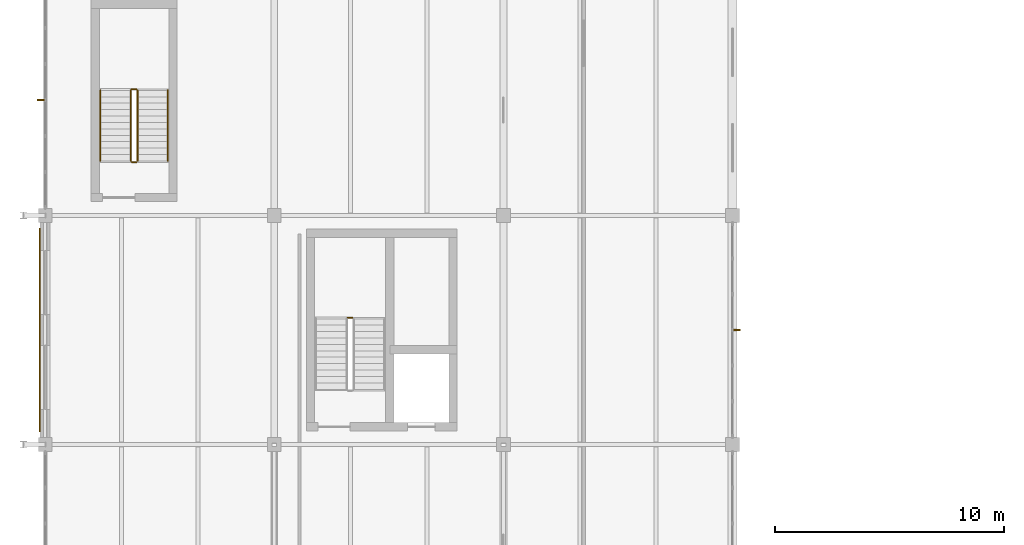
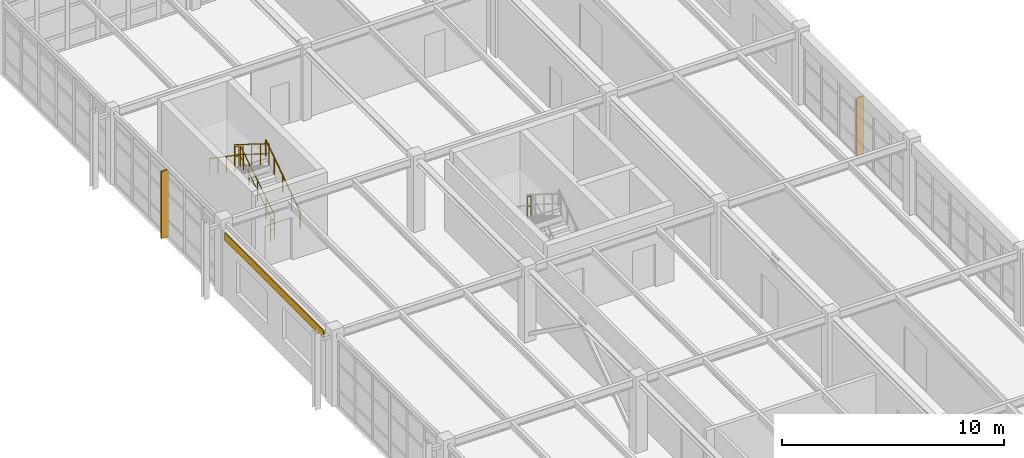
# One storey, part 114 of 122: 7 railings, 2 shading devices, 1 covering.
"""IFC4 building model written with IfcOpenShell, lengths in metres."""

from ifc_helpers import new_model, si_unit, direction, frame, origin, origin_2d, place, context, subcontext, project, spatial, polyline, rectangle, circle, outline, extrude, material, layer, layer_set, type_object, element, save


model = new_model("IFC4")

# Units and contexts
model_context = context("Model", 3, precision=1e-05, world=origin(), true_north=direction((0.0, 1.0)))
body_context = subcontext(model_context, "Body", "Model", "MODEL_VIEW")
ifc_project = project(units=[si_unit("LENGTHUNIT", "METRE"), si_unit("AREAUNIT", "SQUARE_METRE"), si_unit("VOLUMEUNIT", "CUBIC_METRE"), si_unit("PLANEANGLEUNIT", "RADIAN"), si_unit("MASSUNIT", "GRAM", prefix="KILO"), si_unit("THERMODYNAMICTEMPERATUREUNIT", "KELVIN"), si_unit("POWERUNIT", "WATT")], contexts=[model_context])

# Site, building, storey
site_placement = place(None, origin())
site = spatial("IfcSite", under=ifc_project, at=site_placement, CompositionType="ELEMENT")
building_placement = place(site_placement, origin())
building = spatial("IfcBuilding", under=site, at=building_placement, Name="Korenveer Ferry Terminal", CompositionType="ELEMENT")
storey_placement = place(building_placement, frame((0.0, 0.0, 10.199951171875)))
storey = spatial("IfcBuildingStorey", under=building, at=storey_placement, Name="L02", CompositionType="ELEMENT", Elevation=10.199951171875)

# Covering
ifc_material_1 = material(Name="Carved Belgian bluestone spandrel cladding", Category="masonry")
ifc_layer = layer(ifc_material_1, 0.050048828125)
ifc_layer_set = layer_set([ifc_layer], Name="Carved Belgian bluestone spandrel cladding")
covering_type = type_object("IfcCoveringType", Name="ENV-COV-STONE", PredefinedType="CLADDING", material=ifc_layer_set)
covering_placement = place(storey_placement, frame((0.0, 0.0, 3.25)))
element("IfcCovering", 1, at=covering_placement, inside=storey, type_object=covering_type, Name="Belgian bluestone spandrel band 21", PredefinedType="CLADDING", context=body_context, shape_type="SweptSolid", body=[
    extrude(outline(polyline([(-0.264892578125, 50.550048828125), (-0.215087890625, 50.550048828125), (-0.215087890625, 59.449951171875), (-0.264892578125, 59.449951171875), (-0.264892578125, 50.550048828125)])), origin(), (0.0, 0.0, 1.0), 0.420166015625),
])

# Shading devices
ifc_material_2 = material(Name="Anodised bronze aluminium solar fin", Category="aluminium")
shading_device_type = type_object("IfcShadingDeviceType", Name="ENV-SHD-FIN", PredefinedType="JALOUSIE", material=ifc_material_2)
shading_device_1_placement = place(storey_placement, frame((-0.159912109375, 65.03759765625, -0.02001953125), z_axis=(0.0, 0.0, 1.0), x_axis=(1.0, 0.0, 0.0)))
element("IfcShadingDevice", 2, at=shading_device_1_placement, inside=storey, type_object=shading_device_type, Name="Gothic solar fin 50", PredefinedType="JALOUSIE", context=body_context, shape_type="SweptSolid", body=[
    extrude(rectangle(XDim=0.360107421875, YDim=0.080078125, at=origin_2d()), origin(), (0.0, 0.0, 1.0), 3.68994140625),
])
shading_device_2_placement = place(storey_placement, frame((30.159912109375, 55.0, -0.02001953125), z_axis=(0.0, 0.0, 1.0), x_axis=(1.0, 0.0, 0.0)))
element("IfcShadingDevice", 3, at=shading_device_2_placement, inside=storey, type_object=shading_device_type, Name="Gothic solar fin 51", PredefinedType="JALOUSIE", context=body_context, shape_type="SweptSolid", body=[
    extrude(rectangle(XDim=0.360107421875, YDim=0.080078125, at=origin_2d()), origin(), (0.0, 0.0, 1.0), 3.18994140625),
])

# Railings
ifc_material_3 = material(Name="Brushed stainless steel handrail", Category="steel")
railing_type_1 = type_object("IfcRailingType", Name="INT-RL-HND90", PredefinedType="HANDRAIL", material=ifc_material_3)
railing_1_placement = place(storey_placement, frame((5.35009765625, 62.3798828125, 0.175048828125)))
element("IfcRailing", 4, at=railing_1_placement, inside=storey, type_object=railing_type_1, Name="L02 ST11 stair handrail 1", PredefinedType="HANDRAIL", context=body_context, shape_type="SweptSolid", body=[
    extrude(circle(Radius=0.02392578125, at=origin_2d()), frame((0.0, 0.0, 0.8759765625), z_axis=(0.0, 0.826221800596, 0.563344953133), x_axis=(-1.0, 0.0, 0.0)), (0.0, 0.0, 1.0), 3.72802734375),
    extrude(circle(Radius=0.02099609375, at=origin_2d()), origin(), (0.0, 0.0, 1.0), 0.851806640625),
    extrude(circle(Radius=0.02099609375, at=origin_2d()), frame((0.0, 0.77001953125, 0.52490234375)), (0.0, 0.0, 1.0), 0.851806640625),
    extrude(circle(Radius=0.02099609375, at=origin_2d()), frame((0.0, 1.5400390625, 1.050048828125)), (0.0, 0.0, 1.0), 0.851806640625),
    extrude(circle(Radius=0.02099609375, at=origin_2d()), frame((0.0, 2.31005859375, 1.5751953125)), (0.0, 0.0, 1.0), 0.851806640625),
    extrude(circle(Radius=0.02099609375, at=origin_2d()), frame((0.0, 3.080078125, 2.10009765625)), (0.0, 0.0, 1.0), 0.851806640625),
])
railing_2_placement = place(storey_placement, frame((2.409912109375, 65.4599609375, 2.275146484375)))
element("IfcRailing", 5, at=railing_2_placement, inside=storey, type_object=railing_type_1, Name="L02 ST11 stair handrail 2", PredefinedType="HANDRAIL", context=body_context, shape_type="SweptSolid", body=[
    extrude(circle(Radius=0.02392578125, at=origin_2d()), frame((0.0, 0.0, 0.8759765625), z_axis=(0.0, -0.826252282691, 0.563300244406), x_axis=(1.0, 0.0, 0.0)), (0.0, 0.0, 1.0), 3.727783203125),
    extrude(circle(Radius=0.02099609375, at=origin_2d()), origin(), (0.0, 0.0, 1.0), 0.851806640625),
    extrude(circle(Radius=0.02099609375, at=origin_2d()), frame((0.0, -0.77001953125, 0.52490234375)), (0.0, 0.0, 1.0), 0.851806640625),
    extrude(circle(Radius=0.02099609375, at=origin_2d()), frame((0.0, -1.5400390625, 1.0498046875)), (0.0, 0.0, 1.0), 0.851806640625),
    extrude(circle(Radius=0.02099609375, at=origin_2d()), frame((0.0, -2.31005859375, 1.574951171875)), (0.0, 0.0, 1.0), 0.851806640625),
    extrude(circle(Radius=0.02099609375, at=origin_2d()), frame((0.0, -3.080078125, 2.099853515625)), (0.0, 0.0, 1.0), 0.851806640625),
])
ifc_material_4 = material(Name="Painted steel stair guard", Category="steel")
railing_type_2 = type_object("IfcRailingType", Name="INT-RL-STGRD", PredefinedType="GUARDRAIL", material=ifc_material_4)
railing_3_placement = place(storey_placement, frame((13.409912109375, 55.5400390625, 2.10009765625)))
element("IfcRailing", 6, at=railing_3_placement, inside=storey, type_object=railing_type_2, Name="L02 ST02 stair guard 2", PredefinedType="GUARDRAIL", context=body_context, shape_type="SweptSolid", body=[
    extrude(circle(Radius=0.02392578125, at=origin_2d()), frame((0.0, 0.0, 1.17578125), z_axis=(-1.0, 0.0, 0.0), x_axis=(0.0, -1.0, 0.0)), (0.0, 0.0, 1.0), 0.199951171875),
    extrude(circle(Radius=0.01806640625, at=origin_2d()), frame((0.0, 0.0, 0.6240234375), z_axis=(-1.0, 0.0, 0.0), x_axis=(0.0, -1.0, 0.0)), (0.0, 0.0, 1.0), 0.199951171875),
    extrude(circle(Radius=0.02099609375, at=origin_2d()), origin(), (0.0, 0.0, 1.0), 1.15185546875),
    extrude(circle(Radius=0.02099609375, at=origin_2d()), frame((-0.199951171875, 0.0, 0.0)), (0.0, 0.0, 1.0), 1.15185546875),
])
railing_4_placement = place(storey_placement, frame((4.030029296875, 62.3798828125, 0.175048828125)))
element("IfcRailing", 7, at=railing_4_placement, inside=storey, type_object=railing_type_2, Name="L02 ST11 stair guard 1", PredefinedType="GUARDRAIL", context=body_context, shape_type="SweptSolid", body=[
    extrude(circle(Radius=0.02392578125, at=origin_2d()), frame((0.0, 0.0, 1.17578125), z_axis=(0.0, 0.847998304005, 0.529998940003), x_axis=(-1.0, 0.0, 0.0)), (0.0, 0.0, 1.0), 3.632080078125),
    extrude(circle(Radius=0.01806640625, at=origin_2d()), frame((0.0, 0.0, 0.6240234375), z_axis=(0.0, 0.847998304005, 0.529998940003), x_axis=(-1.0, 0.0, 0.0)), (0.0, 0.0, 1.0), 3.632080078125),
    extrude(circle(Radius=0.02099609375, at=origin_2d()), origin(), (0.0, 0.0, 1.0), 1.15185546875),
    extrude(circle(Radius=0.02099609375, at=origin_2d()), frame((0.0, 0.77001953125, 0.481201171875)), (0.0, 0.0, 1.0), 1.15185546875),
    extrude(circle(Radius=0.02099609375, at=origin_2d()), frame((0.0, 1.5400390625, 0.96240234375)), (0.0, 0.0, 1.0), 1.15185546875),
    extrude(circle(Radius=0.02099609375, at=origin_2d()), frame((0.0, 2.31005859375, 1.44384765625)), (0.0, 0.0, 1.0), 1.15185546875),
    extrude(circle(Radius=0.02099609375, at=origin_2d()), frame((0.0, 3.080078125, 1.925048828125)), (0.0, 0.0, 1.0), 1.15185546875),
])
railing_5_placement = place(storey_placement, frame((3.97998046875, 65.510009765625, 2.10009765625)))
element("IfcRailing", 8, at=railing_5_placement, inside=storey, type_object=railing_type_2, Name="L02 ST11 stair guard 2", PredefinedType="GUARDRAIL", context=body_context, shape_type="SweptSolid", body=[
    extrude(circle(Radius=0.02392578125, at=origin_2d()), frame((0.0, 0.0, 1.17578125), z_axis=(-1.0, 0.0, 0.0), x_axis=(0.0, -1.0, 0.0)), (0.0, 0.0, 1.0), 0.199951171875),
    extrude(circle(Radius=0.01806640625, at=origin_2d()), frame((0.0, 0.0, 0.6240234375), z_axis=(-1.0, 0.0, 0.0), x_axis=(0.0, -1.0, 0.0)), (0.0, 0.0, 1.0), 0.199951171875),
    extrude(circle(Radius=0.02099609375, at=origin_2d()), origin(), (0.0, 0.0, 1.0), 1.15185546875),
    extrude(circle(Radius=0.02099609375, at=origin_2d()), frame((-0.199951171875, 0.0, 0.0)), (0.0, 0.0, 1.0), 1.15185546875),
])
railing_6_placement = place(storey_placement, frame((3.72998046875, 65.4599609375, 2.275146484375)))
element("IfcRailing", 9, at=railing_6_placement, inside=storey, type_object=railing_type_2, Name="L02 ST11 stair guard 3", PredefinedType="GUARDRAIL", context=body_context, shape_type="SweptSolid", body=[
    extrude(circle(Radius=0.02392578125, at=origin_2d()), frame((0.0, 0.0, 1.17578125), z_axis=(0.0, -0.848028513186, 0.529950602248), x_axis=(1.0, 0.0, 0.0)), (0.0, 0.0, 1.0), 3.632080078125),
    extrude(circle(Radius=0.01806640625, at=origin_2d()), frame((0.0, 0.0, 0.6240234375), z_axis=(0.0, -0.848028513186, 0.529950602248), x_axis=(1.0, 0.0, 0.0)), (0.0, 0.0, 1.0), 3.632080078125),
    extrude(circle(Radius=0.02099609375, at=origin_2d()), origin(), (0.0, 0.0, 1.0), 1.15185546875),
    extrude(circle(Radius=0.02099609375, at=origin_2d()), frame((0.0, -0.77001953125, 0.481201171875)), (0.0, 0.0, 1.0), 1.15185546875),
    extrude(circle(Radius=0.02099609375, at=origin_2d()), frame((0.0, -1.5400390625, 0.96240234375)), (0.0, 0.0, 1.0), 1.15185546875),
    extrude(circle(Radius=0.02099609375, at=origin_2d()), frame((0.0, -2.31005859375, 1.443603515625)), (0.0, 0.0, 1.0), 1.15185546875),
    extrude(circle(Radius=0.02099609375, at=origin_2d()), frame((0.0, -3.080078125, 1.9248046875)), (0.0, 0.0, 1.0), 1.15185546875),
])
railing_7_placement = place(storey_placement, frame((3.97998046875, 62.330078125, 0.0)))
element("IfcRailing", 10, at=railing_7_placement, inside=storey, type_object=railing_type_2, Name="L02 ST11 stair guard 4", PredefinedType="GUARDRAIL", context=body_context, shape_type="SweptSolid", body=[
    extrude(circle(Radius=0.02392578125, at=origin_2d()), frame((0.0, 0.0, 1.17578125), z_axis=(-1.0, 0.0, 0.0), x_axis=(0.0, -1.0, 0.0)), (0.0, 0.0, 1.0), 0.199951171875),
    extrude(circle(Radius=0.01806640625, at=origin_2d()), frame((0.0, 0.0, 0.6240234375), z_axis=(-1.0, 0.0, 0.0), x_axis=(0.0, -1.0, 0.0)), (0.0, 0.0, 1.0), 0.199951171875),
    extrude(circle(Radius=0.02099609375, at=origin_2d()), origin(), (0.0, 0.0, 1.0), 1.15185546875),
    extrude(circle(Radius=0.02099609375, at=origin_2d()), frame((-0.199951171875, 0.0, 0.0)), (0.0, 0.0, 1.0), 1.15185546875),
])

save(model, "model.ifc")
